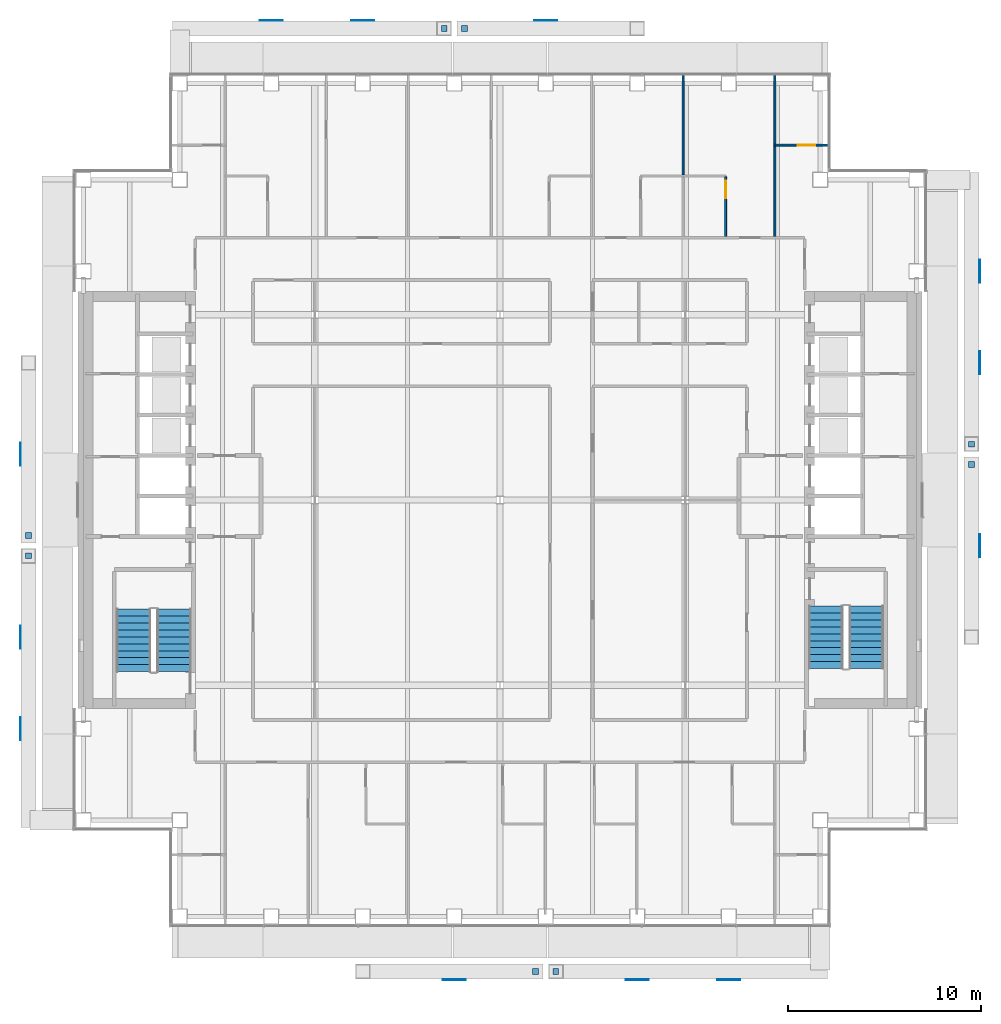
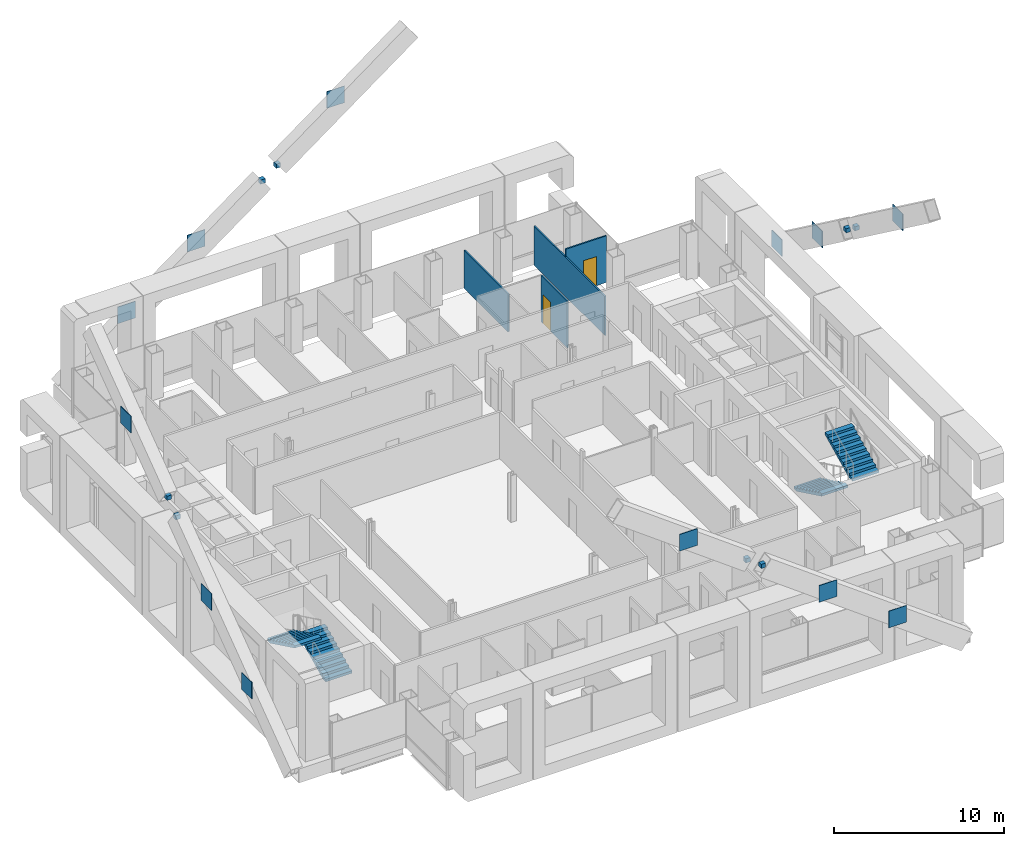
# One storey, part 16 of 22: 20 discrete accessories, 4 stair flights, 4 walls, 2 doors, 2 openings, 2 elements without a shape of their own.
"""IFC4 building model written with IfcOpenShell, lengths in metres."""

from ifc_helpers import new_model, si_unit, direction, frame, frame_2d, origin, origin_2d, place, context, subcontext, project, spatial, polyline, rectangle, outline, extrude, material, layer, layer_set, type_object, element, fill, aggregate, save


model = new_model("IFC4")

# Units and contexts
model_context = context("Model", 3, precision=1e-05, world=origin(), true_north=direction((0.0, 1.0)))
body_context = subcontext(model_context, "Body", "Model", "MODEL_VIEW")
ifc_project = project(units=[si_unit("LENGTHUNIT", "METRE"), si_unit("AREAUNIT", "SQUARE_METRE"), si_unit("VOLUMEUNIT", "CUBIC_METRE"), si_unit("PLANEANGLEUNIT", "RADIAN"), si_unit("MASSUNIT", "GRAM", prefix="KILO")], contexts=[model_context])

# Site, building, storey
site_placement = place(None, origin())
site = spatial("IfcSite", under=ifc_project, at=site_placement, CompositionType="ELEMENT")
building_placement = place(site_placement, origin())
building = spatial("IfcBuilding", under=site, at=building_placement, Name="Cobrizo Arcos Hotel Tower", CompositionType="ELEMENT")
storey_placement = place(building_placement, frame((0.0, 0.0, 155.0)))
storey = spatial("IfcBuildingStorey", under=building, at=storey_placement, Name="L39", CompositionType="ELEMENT", Elevation=155.0)

# Wall, opening, door
ifc_material_1 = material(Name="Gypsum board partition")
ifc_layer = layer(ifc_material_1, 0.10009765625)
ifc_layer_set = layer_set([ifc_layer], Name="Partition EI 30 100")
wall_type = type_object("IfcWallType", Name="Partition EI 30 100", PredefinedType="PARTITIONING", material=ifc_layer_set)
wall_1_placement = place(storey_placement, frame((14.25, 18.39990234375, 0.0), z_axis=(0.0, 0.0, 1.0), x_axis=(1.0, 0.0, 0.0)))
wall_1 = element("IfcWall", 1, at=wall_1_placement, inside=storey, type_object=wall_type, Name="Partition 046", PredefinedType="PARTITIONING", context=body_context, shape_type="SweptSolid", body=[
    extrude(rectangle(XDim=2.780029296875, YDim=0.10009765625, at=frame_2d((1.39013671875, 0.0))), origin(), (0.0, 0.0, 1.0), 3.35009765625),
])
opening_1_placement = place(wall_1_placement, frame((1.18896484375, 0.0, 0.0)))
opening_1 = element("IfcOpeningElement", 2, at=opening_1_placement, cuts=wall_1, Name="Opening ED-13", PredefinedType="OPENING", context=body_context, shape_type="SweptSolid", body=[
    extrude(rectangle(XDim=0.89990234375, YDim=2.10009765625, at=frame_2d((0.449951171875, 1.050048828125))), frame((0.0, 0.06201171875, 0.0), z_axis=(0.0, -1.0, 0.0), x_axis=(1.0, 0.0, 0.0)), (0.0, 0.0, 1.0), 0.1240234375),
])
ifc_material_2 = material(Name="Timber door leaf", Category="wood")
door_type = type_object("IfcDoorType", Name="En-suite door 900x2100", OperationType="SINGLE_SWING_LEFT", PredefinedType="DOOR", material=ifc_material_2)
door_1_placement = place(opening_1_placement, origin())
door_1 = element("IfcDoor", 3, at=door_1_placement, inside=storey, type_object=door_type, Name="Door ED-13", OperationType="SINGLE_SWING_LEFT", OverallHeight=2.10009765625, OverallWidth=0.89990234375, PredefinedType="DOOR", context=body_context, shape_type="SweptSolid", body=[
    extrude(rectangle(XDim=0.89990234375, YDim=2.10009765625, at=frame_2d((0.449951171875, 1.050048828125))), frame((0.0, 0.02490234375, 0.0), z_axis=(0.0, -1.0, 0.0), x_axis=(1.0, 0.0, 0.0)), (0.0, 0.0, 1.0), 0.050048828125),
])
fill(opening_1, door_1)

# Wall
wall_2_placement = place(storey_placement, frame((9.5, 16.85009765625, 0.0), z_axis=(0.0, 0.0, 1.0), x_axis=(0.0, 1.0, 0.0)))
element("IfcWall", 4, at=wall_2_placement, inside=storey, type_object=wall_type, Name="Partition 095", PredefinedType="PARTITIONING", context=body_context, shape_type="SweptSolid", body=[
    extrude(rectangle(XDim=5.179931640625, YDim=0.10009765625, at=frame_2d((2.58984375, 0.0))), origin(), (0.0, 0.0, 1.0), 2.72802734375),
])

# Wall, opening, door
wall_3_placement = place(storey_placement, frame((11.699951171875, 13.675048828125, 0.0), z_axis=(0.0, 0.0, 1.0), x_axis=(0.0, 1.0, 0.0)))
wall_3 = element("IfcWall", 5, at=wall_3_placement, inside=storey, type_object=wall_type, Name="Partition 103", PredefinedType="PARTITIONING", context=body_context, shape_type="SweptSolid", body=[
    extrude(rectangle(XDim=3.074951171875, YDim=0.10009765625, at=frame_2d((1.53759765625, 0.0))), origin(), (0.0, 0.0, 1.0), 3.35009765625),
])
opening_2_placement = place(wall_3_placement, frame((1.970947265625, 0.0, 0.0)))
opening_2 = element("IfcOpeningElement", 6, at=opening_2_placement, cuts=wall_3, Name="Opening ED-05", PredefinedType="OPENING", context=body_context, shape_type="SweptSolid", body=[
    extrude(rectangle(XDim=0.89990234375, YDim=2.10009765625, at=frame_2d((0.449951171875, 1.050048828125))), frame((0.0, 0.06201171875, 0.0), z_axis=(0.0, -1.0, 0.0), x_axis=(1.0, 0.0, 0.0)), (0.0, 0.0, 1.0), 0.1240234375),
])
door_2_placement = place(opening_2_placement, origin())
door_2 = element("IfcDoor", 7, at=door_2_placement, inside=storey, type_object=door_type, Name="Door ED-05", OperationType="SINGLE_SWING_LEFT", OverallHeight=2.10009765625, OverallWidth=0.89990234375, PredefinedType="DOOR", context=body_context, shape_type="SweptSolid", body=[
    extrude(rectangle(XDim=0.89990234375, YDim=2.10009765625, at=frame_2d((0.449951171875, 1.050048828125))), frame((0.0, 0.02490234375, 0.0), z_axis=(0.0, -1.0, 0.0), x_axis=(1.0, 0.0, 0.0)), (0.0, 0.0, 1.0), 0.050048828125),
])
fill(opening_2, door_2)

# Wall
wall_4_placement = place(storey_placement, frame((14.25, 13.675048828125, 0.0), z_axis=(0.0, 0.0, 1.0), x_axis=(0.0, 1.0, 0.0)))
element("IfcWall", 8, at=wall_4_placement, inside=storey, type_object=wall_type, Name="Partition 111", PredefinedType="PARTITIONING", context=body_context, shape_type="SweptSolid", body=[
    extrude(rectangle(XDim=8.35498046875, YDim=0.10009765625, at=frame_2d((4.177490234375, 0.0))), origin(), (0.0, 0.0, 1.0), 2.81689453125),
])

# Stair, stair flights
ifc_material_3 = material(Name="Concrete f'c 40 MPa", Category="concrete")
stair_type = type_object("IfcStairType", Name="Exit stair", PredefinedType="HALF_TURN_STAIR", material=ifc_material_3)
stair_1_placement = place(storey_placement, origin())
stair_1 = element("IfcStair", 9, at=stair_1_placement, inside=storey, type_object=stair_type, Name="L39 Exit stair ST-W", PredefinedType="HALF_TURN_STAIR")
stair_flight_type = type_object("IfcStairFlightType", Name="Exit stair flight", PredefinedType="STRAIGHT", material=ifc_material_3)
stair_flight_1_placement = place(storey_placement, frame((-16.89990234375, -8.89990234375, 0.0), z_axis=(0.0, 0.0, 1.0), x_axis=(0.0, 1.0, 0.0)))
stair_flight_1 = element("IfcStairFlight", 10, at=stair_flight_1_placement, type_object=stair_flight_type, Name="ST-W flight 1", NumberOfRisers=10, NumberOfTreads=9, PredefinedType="STRAIGHT", RiserHeight=0.175, TreadLength=0.36, context=body_context, shape_type="SweptSolid", body=[
    extrude(outline(polyline([(0.0, 0.0), (0.0, 0.175048828125), (0.360107421875, 0.175048828125), (0.360107421875, 0.35009765625), (0.719970703125, 0.35009765625), (0.719970703125, 0.52490234375), (1.080078125, 0.52490234375), (1.080078125, 0.699951171875), (1.43994140625, 0.699951171875), (1.43994140625, 0.875), (1.800048828125, 0.875), (1.800048828125, 1.050048828125), (2.159912109375, 1.050048828125), (2.159912109375, 1.22509765625), (2.52001953125, 1.22509765625), (2.52001953125, 1.39990234375), (2.8798828125, 1.39990234375), (2.8798828125, 1.574951171875), (3.239990234375, 1.574951171875), (3.239990234375, 1.75), (3.239990234375, 1.408203125), (0.3427734375, 0.0), (0.0, 0.0)])), frame((0.0, 0.89990234375, 0.0), z_axis=(0.0, -1.0, 0.0), x_axis=(1.0, 0.0, 0.0)), (0.0, 0.0, 1.0), 1.800048828125),
])
stair_flight_2_placement = place(storey_placement, frame((-19.0, -5.659912109375, 1.75), z_axis=(0.0, 0.0, 1.0), x_axis=(0.0, -1.0, 0.0)))
stair_flight_2 = element("IfcStairFlight", 11, at=stair_flight_2_placement, type_object=stair_flight_type, Name="ST-W flight 2", NumberOfRisers=10, NumberOfTreads=9, PredefinedType="STRAIGHT", RiserHeight=0.175, TreadLength=0.36, context=body_context, shape_type="SweptSolid", body=[
    extrude(outline(polyline([(0.0, 0.0), (0.0, 0.175048828125), (0.360107421875, 0.175048828125), (0.360107421875, 0.35009765625), (0.719970703125, 0.35009765625), (0.719970703125, 0.52490234375), (1.080078125, 0.52490234375), (1.080078125, 0.699951171875), (1.43994140625, 0.699951171875), (1.43994140625, 0.875), (1.800048828125, 0.875), (1.800048828125, 1.050048828125), (2.159912109375, 1.050048828125), (2.159912109375, 1.22509765625), (2.52001953125, 1.22509765625), (2.52001953125, 1.39990234375), (2.8798828125, 1.39990234375), (2.8798828125, 1.574951171875), (3.239990234375, 1.574951171875), (3.239990234375, 1.75), (3.239990234375, 1.408203125), (0.3427734375, 0.0), (0.0, 0.0)])), frame((0.0, 0.89990234375, 0.0), z_axis=(0.0, -1.0, 0.0), x_axis=(1.0, 0.0, 0.0)), (0.0, 0.0, 1.0), 1.800048828125),
])
aggregate(stair_1, [stair_flight_1, stair_flight_2])

stair_2_placement = place(storey_placement, origin())
stair_2 = element("IfcStair", 12, at=stair_2_placement, inside=storey, type_object=stair_type, Name="L39 Exit stair ST-E", PredefinedType="HALF_TURN_STAIR")
stair_flight_3_placement = place(storey_placement, frame((16.89990234375, -5.5, 0.0), z_axis=(0.0, 0.0, 1.0), x_axis=(0.0, -1.0, 0.0)))
stair_flight_3 = element("IfcStairFlight", 13, at=stair_flight_3_placement, type_object=stair_flight_type, Name="ST-E flight 1", NumberOfRisers=10, NumberOfTreads=9, PredefinedType="STRAIGHT", RiserHeight=0.175, TreadLength=0.36, context=body_context, shape_type="SweptSolid", body=[
    extrude(outline(polyline([(0.0, 0.0), (0.0, 0.175048828125), (0.360107421875, 0.175048828125), (0.360107421875, 0.35009765625), (0.719970703125, 0.35009765625), (0.719970703125, 0.52490234375), (1.080078125, 0.52490234375), (1.080078125, 0.699951171875), (1.43994140625, 0.699951171875), (1.43994140625, 0.875), (1.800048828125, 0.875), (1.800048828125, 1.050048828125), (2.159912109375, 1.050048828125), (2.159912109375, 1.22509765625), (2.52001953125, 1.22509765625), (2.52001953125, 1.39990234375), (2.8798828125, 1.39990234375), (2.8798828125, 1.574951171875), (3.239990234375, 1.574951171875), (3.239990234375, 1.75), (3.239990234375, 1.408203125), (0.3427734375, 0.0), (0.0, 0.0)])), frame((0.0, 0.89990234375, 0.0), z_axis=(0.0, -1.0, 0.0), x_axis=(1.0, 0.0, 0.0)), (0.0, 0.0, 1.0), 1.800048828125),
])
stair_flight_4_placement = place(storey_placement, frame((19.0, -8.739990234375, 1.75), z_axis=(0.0, 0.0, 1.0), x_axis=(0.0, 1.0, 0.0)))
stair_flight_4 = element("IfcStairFlight", 14, at=stair_flight_4_placement, type_object=stair_flight_type, Name="ST-E flight 2", NumberOfRisers=10, NumberOfTreads=9, PredefinedType="STRAIGHT", RiserHeight=0.175, TreadLength=0.36, context=body_context, shape_type="SweptSolid", body=[
    extrude(outline(polyline([(0.0, 0.0), (0.0, 0.175048828125), (0.360107421875, 0.175048828125), (0.360107421875, 0.35009765625), (0.719970703125, 0.35009765625), (0.719970703125, 0.52490234375), (1.080078125, 0.52490234375), (1.080078125, 0.699951171875), (1.43994140625, 0.699951171875), (1.43994140625, 0.875), (1.800048828125, 0.875), (1.800048828125, 1.050048828125), (2.159912109375, 1.050048828125), (2.159912109375, 1.22509765625), (2.52001953125, 1.22509765625), (2.52001953125, 1.39990234375), (2.8798828125, 1.39990234375), (2.8798828125, 1.574951171875), (3.239990234375, 1.574951171875), (3.239990234375, 1.75), (3.239990234375, 1.408203125), (0.3427734375, 0.0), (0.0, 0.0)])), frame((0.0, 0.89990234375, 0.0), z_axis=(0.0, -1.0, 0.0), x_axis=(1.0, 0.0, 0.0)), (0.0, 0.0, 1.0), 1.800048828125),
])
aggregate(stair_2, [stair_flight_3, stair_flight_4])

# Discrete accessories
ifc_material_4 = material(Name="Steel ASTM A572 Grade 50", Category="steel")
discrete_accessory_type_1 = type_object("IfcDiscreteAccessoryType", Name="GP-1 gusset plate 1200x1200x40", PredefinedType="BRACKET", material=ifc_material_4)
for number, where, z_axis, x_axis, name in (
    (15, (24.8701171875, 7.1142578125, 6.89990234375), (0.0, 0.0, 1.0), (1.0, 0.0, 0.0), "Gusset plate br-Z3-E-07"),
    (16, (24.8701171875, 11.857177734375, 3.39990234375), (0.0, 0.0, 1.0), (1.0, 0.0, 0.0), "Gusset plate br-Z3-E-07"),
    (17, (24.8701171875, -2.371337890625, 13.89990234375), (0.0, 0.0, 1.0), (1.0, 0.0, 0.0), "Gusset plate br-Z3-E-07"),
):
    element("IfcDiscreteAccessory", number, at=place(storey_placement, frame(where, z_axis=z_axis, x_axis=x_axis)), inside=storey, type_object=discrete_accessory_type_1, Name=name, PredefinedType="BRACKET", context=body_context, shape_type="SweptSolid", body=[
        extrude(rectangle(XDim=0.0400390625, YDim=1.199951171875, at=origin_2d()), origin(), (0.0, 0.0, 1.0), 1.199951171875),
    ])
for number, where, z_axis, x_axis, name in (
    (18, (-7.1142578125, 24.8701171875, 6.89990234375), (0.0, 0.0, 1.0), (1.0, 0.0, 0.0), "Gusset plate br-Z3-N-07"),
    (19, (-11.857177734375, 24.8701171875, 3.39990234375), (0.0, 0.0, 1.0), (1.0, 0.0, 0.0), "Gusset plate br-Z3-N-07"),
    (20, (2.371337890625, 24.8701171875, 13.89990234375), (0.0, 0.0, 1.0), (1.0, 0.0, 0.0), "Gusset plate br-Z3-N-07"),
    (21, (7.1142578125, -24.8701171875, 6.89990234375), (0.0, 0.0, 1.0), (1.0, 0.0, 0.0), "Gusset plate br-Z3-S-07"),
    (22, (11.857177734375, -24.8701171875, 3.39990234375), (0.0, 0.0, 1.0), (1.0, 0.0, 0.0), "Gusset plate br-Z3-S-07"),
    (23, (-2.371337890625, -24.8701171875, 13.89990234375), (0.0, 0.0, 1.0), (1.0, 0.0, 0.0), "Gusset plate br-Z3-S-07"),
):
    element("IfcDiscreteAccessory", number, at=place(storey_placement, frame(where, z_axis=z_axis, x_axis=x_axis)), inside=storey, type_object=discrete_accessory_type_1, Name=name, PredefinedType="BRACKET", context=body_context, shape_type="SweptSolid", body=[
        extrude(rectangle(XDim=1.199951171875, YDim=0.0400390625, at=origin_2d()), origin(), (0.0, 0.0, 1.0), 1.199951171875),
    ])
for number, where, z_axis, x_axis, name in (
    (24, (-24.8701171875, -7.1142578125, 6.89990234375), (0.0, 0.0, 1.0), (1.0, 0.0, 0.0), "Gusset plate br-Z3-W-07"),
    (25, (-24.8701171875, -11.857177734375, 3.39990234375), (0.0, 0.0, 1.0), (1.0, 0.0, 0.0), "Gusset plate br-Z3-W-07"),
    (26, (-24.8701171875, 2.371337890625, 13.89990234375), (0.0, 0.0, 1.0), (1.0, 0.0, 0.0), "Gusset plate br-Z3-W-07"),
):
    element("IfcDiscreteAccessory", number, at=place(storey_placement, frame(where, z_axis=z_axis, x_axis=x_axis)), inside=storey, type_object=discrete_accessory_type_1, Name=name, PredefinedType="BRACKET", context=body_context, shape_type="SweptSolid", body=[
        extrude(rectangle(XDim=0.0400390625, YDim=1.199951171875, at=origin_2d()), origin(), (0.0, 0.0, 1.0), 1.199951171875),
    ])
discrete_accessory_type_2 = type_object("IfcDiscreteAccessoryType", Name="GP-5 brace end plate 300x300x300", PredefinedType="BRACKET", material=ifc_material_4)
for number, where, z_axis, x_axis, name in (
    (27, (24.449951171875, 2.89453125, 10.4638671875), (0.0, 0.0, 1.0), (1.0, 0.0, 0.0), "Brace end plate"),
    (28, (24.449951171875, 1.84814453125, 11.23583984375), (0.0, 0.0, 1.0), (1.0, 0.0, 0.0), "Brace end plate"),
    (29, (-2.89453125, 24.449951171875, 10.4638671875), (0.0, 0.0, 1.0), (1.0, 0.0, 0.0), "Brace end plate"),
    (30, (-1.84814453125, 24.449951171875, 11.23583984375), (0.0, 0.0, 1.0), (1.0, 0.0, 0.0), "Brace end plate"),
    (31, (2.89453125, -24.449951171875, 10.4638671875), (0.0, 0.0, 1.0), (1.0, 0.0, 0.0), "Brace end plate"),
    (32, (1.84814453125, -24.449951171875, 11.23583984375), (0.0, 0.0, 1.0), (1.0, 0.0, 0.0), "Brace end plate"),
    (33, (-24.449951171875, -2.89453125, 10.4638671875), (0.0, 0.0, 1.0), (1.0, 0.0, 0.0), "Brace end plate"),
    (34, (-24.449951171875, -1.84814453125, 11.23583984375), (0.0, 0.0, 1.0), (1.0, 0.0, 0.0), "Brace end plate"),
):
    element("IfcDiscreteAccessory", number, at=place(storey_placement, frame(where, z_axis=z_axis, x_axis=x_axis)), inside=storey, type_object=discrete_accessory_type_2, Name=name, PredefinedType="BRACKET", context=body_context, shape_type="SweptSolid", body=[
        extrude(rectangle(XDim=0.300048828125, YDim=0.300048828125, at=origin_2d()), origin(), (0.0, 0.0, 1.0), 0.300048828125),
    ])

save(model, "model.ifc")
